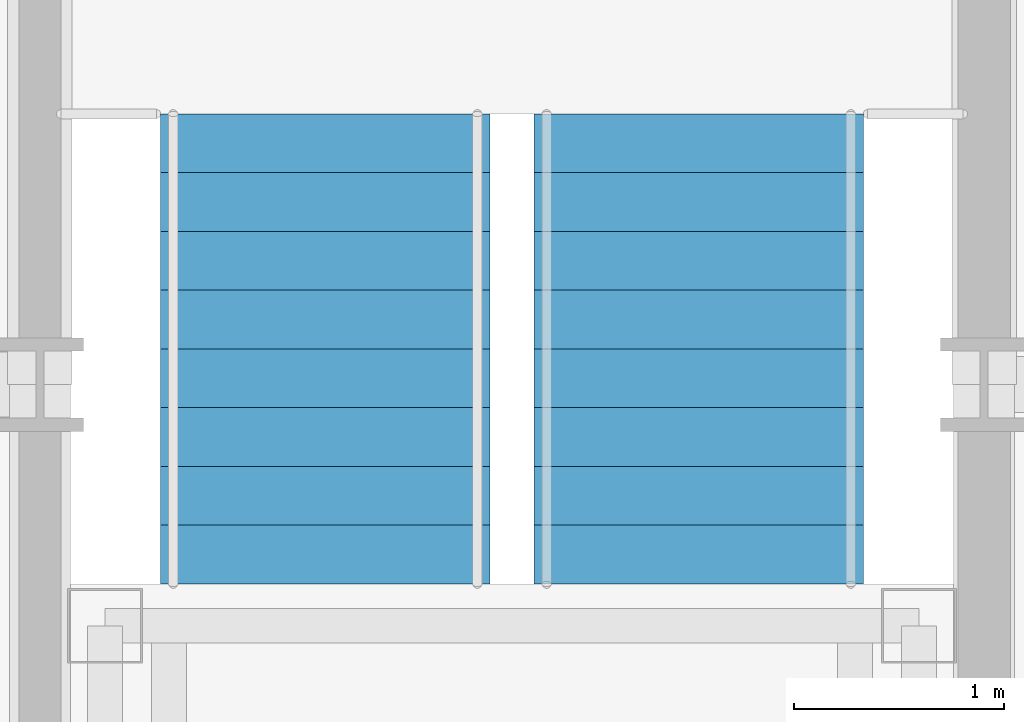
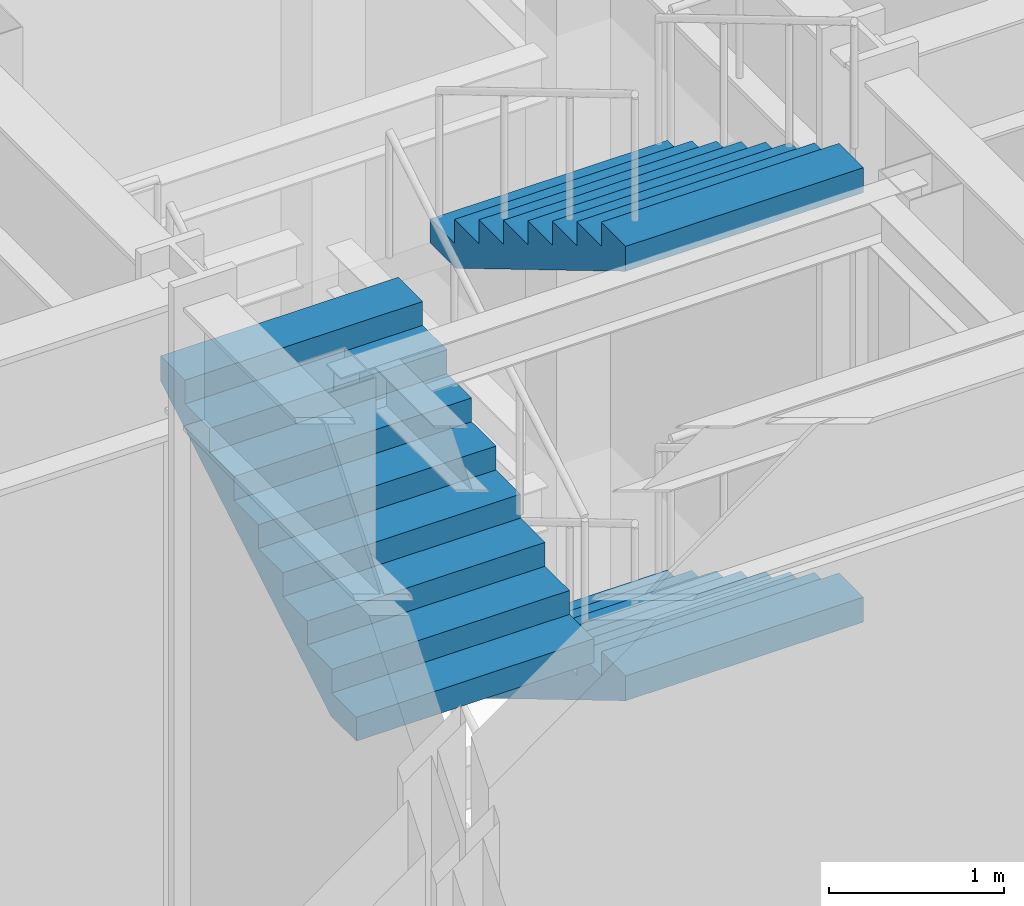
# One storey, part 19 of 28: 3 stair flights, 1 element without a shape of its own.
"""IFC4 building model written with IfcOpenShell, lengths in metres."""

import ifcopenshell
import ifcopenshell.guid

model = None  # the IFC model being written
_history = None  # IfcOwnerHistory: only IFC2X3 demands one
_inside = {}  # id of a spatial element -> (the spatial element, [elements in it])
_under = {}  # id of a project, library or spatial element -> (it, [spatial elements below it])
_declared = {}  # id of a project -> (the project, [libraries it declares])
_typed = {}  # id of a type object -> (the type object, [elements of that type])
_made_of = {}  # id of a material, layer set ... -> (it, [elements and type objects made of it])


def new_model(schema):
    """Start an empty IFC model of exactly this schema.

    Asked for "IFC4X3", IfcOpenShell would pick the latest addendum, in which some entities
    have other attributes; the version numbers below select the first issue.
    IFC2X3 requires an IfcOwnerHistory on every rooted entity: one is made here for all.
    """
    global model, _history
    if schema == "IFC4X3":
        model = ifcopenshell.file(schema_version=(4, 3, 0, 0))
    else:
        model = ifcopenshell.file(schema=schema)
    _inside.clear()
    _under.clear()
    _declared.clear()
    _typed.clear()
    _made_of.clear()
    _history = None
    if model.schema == "IFC2X3":
        org = make("IfcOrganization", Name="unknown")
        user = make(
            "IfcPersonAndOrganization",
            ThePerson=make("IfcPerson", FamilyName="unknown"),
            TheOrganization=org,
        )
        app = make(
            "IfcApplication",
            ApplicationDeveloper=org,
            Version="unknown",
            ApplicationFullName="unknown",
            ApplicationIdentifier="unknown",
        )
        _history = make(
            "IfcOwnerHistory",
            OwningUser=user,
            OwningApplication=app,
            ChangeAction="ADDED",
            CreationDate=0,
        )
    return model


def make(cls, **values):
    """One entity of the class cls with the attributes given. An attribute that is None is left unset."""
    return model.create_entity(
        cls, **{name: value for name, value in values.items() if value is not None}
    )


def rooted(cls, **values):
    """An entity with a GlobalId (a new one), such as an element, a storey or a relation."""
    return make(cls, GlobalId=ifcopenshell.guid.new(), OwnerHistory=_history, **values)


def si_unit(unit_type, name, prefix=None):
    """IfcSIUnit, for example si_unit("LENGTHUNIT", "METRE", prefix="MILLI")."""
    return make("IfcSIUnit", UnitType=unit_type, Prefix=prefix, Name=name)


def assignment(units):
    """IfcUnitAssignment: the units of a project."""
    return None if units is None else make("IfcUnitAssignment", Units=units)


def point(xyz):
    """IfcCartesianPoint."""
    return None if xyz is None else make("IfcCartesianPoint", Coordinates=xyz)


def direction(xyz):
    """IfcDirection."""
    return None if xyz is None else make("IfcDirection", DirectionRatios=xyz)


def frame(location, z_axis=None, x_axis=None):
    """IfcAxis2Placement3D, a coordinate frame: its origin and axes. An axis left out is left unset."""
    return make(
        "IfcAxis2Placement3D",
        Location=point(location),
        Axis=direction(z_axis),
        RefDirection=direction(x_axis),
    )


def origin():
    """The frame at (0, 0, 0) with its axes left unset."""
    return frame((0.0, 0.0, 0.0))


def place(relative_to, where):
    """IfcLocalPlacement: puts the frame where relative to a parent placement (None: the world)."""
    return make(
        "IfcLocalPlacement", PlacementRelTo=relative_to, RelativePlacement=where
    )


def context(
    kind, dimensions, precision=None, world=None, true_north=None, identifier=None
):
    """IfcGeometricRepresentationContext, for example the 3D "Model" context."""
    return make(
        "IfcGeometricRepresentationContext",
        ContextIdentifier=identifier,
        ContextType=kind,
        CoordinateSpaceDimension=dimensions,
        Precision=precision,
        WorldCoordinateSystem=world,
        TrueNorth=true_north,
    )


def subcontext(parent, identifier, kind, view, scale=None):
    """IfcGeometricRepresentationSubContext, for example "Body" below "Model"."""
    return make(
        "IfcGeometricRepresentationSubContext",
        ContextIdentifier=identifier,
        ContextType=kind,
        ParentContext=parent,
        TargetScale=scale,
        TargetView=view,
    )


def project(units=None, contexts=None):
    """IfcProject with its units and contexts."""
    return rooted(
        "IfcProject",
        Name="project",
        RepresentationContexts=contexts,
        UnitsInContext=assignment(units),
    )


def spatial(cls, under=None, at=None, **own):
    """A site, building, storey or space (cls), placed at a placement, below another one or the project."""
    s = rooted(cls, ObjectPlacement=at, **own)
    if under is not None:
        _under.setdefault(under.id(), (under, []))[1].append(s)
    return s


def faces_of(points, faces, orient=None, outer=None):
    """IfcFace entities. A face is a list of loops; a loop is a list of indices into points, from 0.

    orient and outer hold one flag for each loop. By default every Orientation is true, the
    first loop of a face is its IfcFaceOuterBound and the others are IfcFaceBound.
    """
    made = []
    for i, loops in enumerate(faces):
        bounds = []
        for j, loop in enumerate(loops):
            is_outer = j == 0 if outer is None else outer[i][j]
            bounds.append(
                make(
                    "IfcFaceOuterBound" if is_outer else "IfcFaceBound",
                    Bound=make("IfcPolyLoop", Polygon=[points[k] for k in loop]),
                    Orientation=True if orient is None else orient[i][j],
                )
            )
        made.append(make("IfcFace", Bounds=bounds))
    return made


def faceted_brep(points, faces, orient=None, outer=None, voids=None):
    """IfcFacetedBrep: a solid bounded by flat faces; with voids (closed shells), ...WithVoids."""
    shared = [point(p) for p in points]
    hull = make("IfcClosedShell", CfsFaces=faces_of(shared, faces, orient, outer))
    if voids is None:
        return make("IfcFacetedBrep", Outer=hull)
    return make(
        "IfcFacetedBrepWithVoids",
        Outer=hull,
        Voids=[
            make(cls, CfsFaces=faces_of(shared, fs, o, b)) for cls, fs, o, b in voids
        ],
    )


def shape(context_of_items, identifier, shape_type, items):
    """IfcShapeRepresentation: the items that make up one representation, for example the "Body"."""
    return make(
        "IfcShapeRepresentation",
        ContextOfItems=context_of_items,
        RepresentationIdentifier=identifier,
        RepresentationType=shape_type,
        Items=items,
    )


def material(Name=None, Category=None):
    """IfcMaterial."""
    return make("IfcMaterial", Name=Name, Category=Category)


def made_of(thing, what):
    """Note that an element or type object is made of a material, layer set ...; save() writes the relation."""
    if what is not None:
        _made_of.setdefault(what.id(), (what, []))[1].append(thing)
    return thing


def type_object(cls, material=None, **own):
    """A type object (cls), such as IfcWallType, which elements share."""
    return made_of(rooted(cls, **own), material)


def element(
    cls,
    number,
    at=None,
    inside=None,
    cuts=None,
    type_object=None,
    material=None,
    context=None,
    identifier="Body",
    shape_type=None,
    held_by="IfcProductDefinitionShape",
    body=None,
    shapes=None,
    **own,
):
    """One element of the class cls, such as IfcWall. Its Tag is "e" and its number.

    at: its placement. inside: the storey or other place that contains it. cuts: it is an
    opening in that element (IfcRelVoidsElement). A single representation is given by context,
    identifier, shape_type and body (its items); several are given by shapes. held_by: the class
    of the entity that holds the representations. save() writes the other relations.
    """
    e = rooted(cls, Tag="e%d" % number, ObjectPlacement=at, **own)
    if body is not None:
        shapes = [shape(context, identifier, shape_type, body)]
    if shapes is not None:
        e.Representation = make(held_by, Representations=shapes)
    if inside is not None:
        _inside.setdefault(inside.id(), (inside, []))[1].append(e)
    if cuts is not None:
        rooted(
            "IfcRelVoidsElement", RelatingBuildingElement=cuts, RelatedOpeningElement=e
        )
    if type_object is not None:
        _typed.setdefault(type_object.id(), (type_object, []))[1].append(e)
    return made_of(e, material)


def aggregate(whole, parts):
    """IfcRelAggregates: a whole, such as a stair, and the parts it consists of."""
    return rooted("IfcRelAggregates", RelatingObject=whole, RelatedObjects=parts)


def save(model, path):
    """Write the relations noted so far, then the file.

    IfcRelAggregates (storeys below a building ...), IfcRelContainedInSpatialStructure (elements
    in a storey), IfcRelDefinesByType, IfcRelAssociatesMaterial and IfcRelDeclares: one each for
    every whole, place, type object, material and project.
    """
    for whole, parts in _under.values():
        aggregate(whole, parts)
    for where, things in _inside.values():
        rooted(
            "IfcRelContainedInSpatialStructure",
            RelatedElements=things,
            RelatingStructure=where,
        )
    for kind, things in _typed.values():
        rooted("IfcRelDefinesByType", RelatedObjects=things, RelatingType=kind)
    for what, things in _made_of.values():
        rooted("IfcRelAssociatesMaterial", RelatedObjects=things, RelatingMaterial=what)
    for by, libraries in _declared.values():
        rooted("IfcRelDeclares", RelatingContext=by, RelatedDefinitions=libraries)
    model.write(path)


model = new_model("IFC4")

# Units and contexts
model_context = context("Model", 3, precision=1e-05, world=origin(), true_north=direction((0.0, 1.0)))
body_context = subcontext(model_context, "Body", "Model", "MODEL_VIEW")
ifc_project = project(units=[si_unit("LENGTHUNIT", "METRE"), si_unit("AREAUNIT", "SQUARE_METRE"), si_unit("VOLUMEUNIT", "CUBIC_METRE"), si_unit("PLANEANGLEUNIT", "RADIAN"), si_unit("MASSUNIT", "GRAM", prefix="KILO")], contexts=[model_context])

# Site, building, storey
site_placement = place(None, origin())
site = spatial("IfcSite", under=ifc_project, at=site_placement, CompositionType="ELEMENT")
building_placement = place(site_placement, origin())
building = spatial("IfcBuilding", under=site, at=building_placement, Name="Chuquiago Exchange Tower", CompositionType="ELEMENT")
storey_placement = place(building_placement, frame((0.0, 0.0, 300.0)))
storey = spatial("IfcBuildingStorey", under=building, at=storey_placement, Name="L67", CompositionType="ELEMENT", Elevation=300.0)

# Stair, stair flights
ifc_material_1 = material(Name="Concrete C30/37, precast", Category="concrete")
stair_type = type_object("IfcStairType", Name="ST2 double half-turn stair 6000", PredefinedType="DOUBLE_RETURN_STAIR", material=ifc_material_1)
stair_placement = place(storey_placement, origin())
stair = element("IfcStair", 1, at=stair_placement, inside=storey, type_object=stair_type, Name="Stair ST2 L67", PredefinedType="DOUBLE_RETURN_STAIR")
ifc_material_2 = material(Name="Concrete C30/37, precast", Category="concrete")
stair_flight_type = type_object("IfcStairFlightType", Name="ST-F flight 1570 for 6000 storey", PredefinedType="STRAIGHT", material=ifc_material_2)
stair_flight_1_placement = place(storey_placement, frame((31.639892578125, 25.2900390625, 1.5), z_axis=(0.0, 0.0, 1.0), x_axis=(0.0, -1.0, 0.0)))
stair_flight_1 = element("IfcStairFlight", 2, at=stair_flight_1_placement, type_object=stair_flight_type, Name="ST2 flight 2", NumberOfRisers=9, NumberOfTreads=8, PredefinedType="STRAIGHT", RiserHeight=0.166666667, TreadLength=0.28, context=body_context, shape_type="Brep", body=[
    faceted_brep([(0.0, 0.78515625, 0.0), (0.0, 0.78515625, 0.166748046875), (0.280029296875, 0.78515625, 0.166748046875), (0.280029296875, 0.78515625, 0.333251953125), (0.56005859375, 0.78515625, 0.333251953125), (0.56005859375, 0.78515625, 0.5), (0.840087890625, 0.78515625, 0.5), (0.840087890625, 0.78515625, 0.666748046875), (1.1201171875, 0.78515625, 0.666748046875), (1.1201171875, 0.78515625, 0.833251953125), (1.39990234375, 0.78515625, 0.833251953125), (1.39990234375, 0.78515625, 1.0), (1.679931640625, 0.78515625, 1.0), (1.679931640625, 0.78515625, 1.166748046875), (1.9599609375, 0.78515625, 1.166748046875), (1.9599609375, 0.78515625, 1.333251953125), (2.239990234375, 0.78515625, 1.333251953125), (2.239990234375, 0.78515625, 1.158935546875), (0.29296875, 0.78515625, 0.0), (0.29296875, -0.78515625, 0.0), (2.239990234375, -0.78515625, 1.158935546875), (2.239990234375, -0.78515625, 1.333251953125), (1.9599609375, -0.78515625, 1.333251953125), (1.9599609375, -0.78515625, 1.166748046875), (1.679931640625, -0.78515625, 1.166748046875), (1.679931640625, -0.78515625, 1.0), (1.39990234375, -0.78515625, 1.0), (1.39990234375, -0.78515625, 0.833251953125), (1.1201171875, -0.78515625, 0.833251953125), (1.1201171875, -0.78515625, 0.666748046875), (0.840087890625, -0.78515625, 0.666748046875), (0.840087890625, -0.78515625, 0.5), (0.56005859375, -0.78515625, 0.5), (0.56005859375, -0.78515625, 0.333251953125), (0.280029296875, -0.78515625, 0.333251953125), (0.280029296875, -0.78515625, 0.166748046875), (0.0, -0.78515625, 0.166748046875), (0.0, -0.78515625, 0.0), (0.0, 0.392578125, 0.0), (0.0, 0.392578125, 0.166748046875), (0.0, 0.0, 0.0), (0.0, 0.0, 0.166748046875), (0.0, -0.392578125, 0.0), (0.0, -0.392578125, 0.166748046875), (0.280029296875, 0.392578125, 0.166748046875), (0.280029296875, 0.0, 0.166748046875), (0.280029296875, -0.392578125, 0.166748046875), (0.280029296875, 0.392578125, 0.333251953125), (0.280029296875, 0.0, 0.333251953125), (0.280029296875, -0.392578125, 0.333251953125), (0.56005859375, 0.392578125, 0.333251953125), (0.56005859375, 0.0, 0.333251953125), (0.56005859375, -0.392578125, 0.333251953125), (0.56005859375, 0.392578125, 0.5), (0.56005859375, 0.0, 0.5), (0.56005859375, -0.392578125, 0.5), (0.840087890625, 0.392578125, 0.5), (0.840087890625, 0.0, 0.5), (0.840087890625, -0.392578125, 0.5), (0.840087890625, 0.392578125, 0.666748046875), (0.840087890625, 0.0, 0.666748046875), (0.840087890625, -0.392578125, 0.666748046875), (1.1201171875, 0.392578125, 0.666748046875), (1.1201171875, 0.0, 0.666748046875), (1.1201171875, -0.392578125, 0.666748046875), (1.1201171875, 0.392578125, 0.833251953125), (1.1201171875, 0.0, 0.833251953125), (1.1201171875, -0.392578125, 0.833251953125), (1.39990234375, 0.392578125, 0.833251953125), (1.39990234375, 0.0, 0.833251953125), (1.39990234375, -0.392578125, 0.833251953125), (1.39990234375, 0.392578125, 1.0), (1.39990234375, 0.0, 1.0), (1.39990234375, -0.392578125, 1.0), (1.679931640625, 0.392578125, 1.0), (1.679931640625, 0.0, 1.0), (1.679931640625, -0.392578125, 1.0), (1.679931640625, 0.392578125, 1.166748046875), (1.679931640625, 0.0, 1.166748046875), (1.679931640625, -0.392578125, 1.166748046875), (1.9599609375, 0.392578125, 1.166748046875), (1.9599609375, 0.0, 1.166748046875), (1.9599609375, -0.392578125, 1.166748046875), (1.9599609375, 0.392578125, 1.333251953125), (1.9599609375, 0.0, 1.333251953125), (1.9599609375, -0.392578125, 1.333251953125), (2.239990234375, 0.392578125, 1.333251953125), (2.239990234375, 0.0, 1.333251953125), (2.239990234375, -0.392578125, 1.333251953125), (2.239990234375, 0.392578125, 1.158935546875), (2.239990234375, 0.0, 1.158935546875), (2.239990234375, -0.392578125, 1.158935546875), (0.29296875, 0.392578125, 0.0), (0.29296875, 0.0, 0.0), (0.29296875, -0.392578125, 0.0)], [[[0, 1, 2, 3, 4, 5, 6, 7, 8, 9, 10, 11, 12, 13, 14, 15, 16, 17, 18]], [[19, 20, 21, 22, 23, 24, 25, 26, 27, 28, 29, 30, 31, 32, 33, 34, 35, 36, 37]], [[1, 0, 38, 39]], [[39, 38, 40, 41]], [[41, 40, 42, 43]], [[43, 42, 37, 36]], [[2, 1, 39, 44]], [[44, 39, 41, 45]], [[45, 41, 43, 46]], [[46, 43, 36, 35]], [[3, 2, 44, 47]], [[47, 44, 45, 48]], [[48, 45, 46, 49]], [[49, 46, 35, 34]], [[4, 3, 47, 50]], [[50, 47, 48, 51]], [[51, 48, 49, 52]], [[52, 49, 34, 33]], [[5, 4, 50, 53]], [[53, 50, 51, 54]], [[54, 51, 52, 55]], [[55, 52, 33, 32]], [[6, 5, 53, 56]], [[56, 53, 54, 57]], [[57, 54, 55, 58]], [[58, 55, 32, 31]], [[7, 6, 56, 59]], [[59, 56, 57, 60]], [[60, 57, 58, 61]], [[61, 58, 31, 30]], [[8, 7, 59, 62]], [[62, 59, 60, 63]], [[63, 60, 61, 64]], [[64, 61, 30, 29]], [[9, 8, 62, 65]], [[65, 62, 63, 66]], [[66, 63, 64, 67]], [[67, 64, 29, 28]], [[10, 9, 65, 68]], [[68, 65, 66, 69]], [[69, 66, 67, 70]], [[70, 67, 28, 27]], [[11, 10, 68, 71]], [[71, 68, 69, 72]], [[72, 69, 70, 73]], [[73, 70, 27, 26]], [[12, 11, 71, 74]], [[74, 71, 72, 75]], [[75, 72, 73, 76]], [[76, 73, 26, 25]], [[13, 12, 74, 77]], [[77, 74, 75, 78]], [[78, 75, 76, 79]], [[79, 76, 25, 24]], [[14, 13, 77, 80]], [[80, 77, 78, 81]], [[81, 78, 79, 82]], [[82, 79, 24, 23]], [[15, 14, 80, 83]], [[83, 80, 81, 84]], [[84, 81, 82, 85]], [[85, 82, 23, 22]], [[16, 15, 83, 86]], [[86, 83, 84, 87]], [[87, 84, 85, 88]], [[88, 85, 22, 21]], [[17, 16, 86, 89]], [[89, 86, 87, 90]], [[90, 87, 88, 91]], [[91, 88, 21, 20]], [[18, 17, 89, 92]], [[92, 89, 90, 93]], [[93, 90, 91, 94]], [[94, 91, 20, 19]], [[0, 18, 92, 38]], [[38, 92, 93, 40]], [[40, 93, 94, 42]], [[42, 94, 19, 37]]]),
])
stair_flight_2_placement = place(storey_placement, frame((29.860107421875, 23.050048828125, 3.0), z_axis=(0.0, 0.0, 1.0), x_axis=(0.0, 1.0, 0.0)))
stair_flight_2 = element("IfcStairFlight", 3, at=stair_flight_2_placement, type_object=stair_flight_type, Name="ST2 flight 3", NumberOfRisers=9, NumberOfTreads=8, PredefinedType="STRAIGHT", RiserHeight=0.166666667, TreadLength=0.28, context=body_context, shape_type="Brep", body=[
    faceted_brep([(0.0, 0.78515625, 0.0), (0.0, 0.78515625, 0.166748046875), (0.280029296875, 0.78515625, 0.166748046875), (0.280029296875, 0.78515625, 0.333251953125), (0.56005859375, 0.78515625, 0.333251953125), (0.56005859375, 0.78515625, 0.5), (0.840087890625, 0.78515625, 0.5), (0.840087890625, 0.78515625, 0.666748046875), (1.1201171875, 0.78515625, 0.666748046875), (1.1201171875, 0.78515625, 0.833251953125), (1.39990234375, 0.78515625, 0.833251953125), (1.39990234375, 0.78515625, 1.0), (1.679931640625, 0.78515625, 1.0), (1.679931640625, 0.78515625, 1.166748046875), (1.9599609375, 0.78515625, 1.166748046875), (1.9599609375, 0.78515625, 1.333251953125), (2.239990234375, 0.78515625, 1.333251953125), (2.239990234375, 0.78515625, 1.158935546875), (0.29296875, 0.78515625, 0.0), (0.29296875, -0.78515625, 0.0), (2.239990234375, -0.78515625, 1.158935546875), (2.239990234375, -0.78515625, 1.333251953125), (1.9599609375, -0.78515625, 1.333251953125), (1.9599609375, -0.78515625, 1.166748046875), (1.679931640625, -0.78515625, 1.166748046875), (1.679931640625, -0.78515625, 1.0), (1.39990234375, -0.78515625, 1.0), (1.39990234375, -0.78515625, 0.833251953125), (1.1201171875, -0.78515625, 0.833251953125), (1.1201171875, -0.78515625, 0.666748046875), (0.840087890625, -0.78515625, 0.666748046875), (0.840087890625, -0.78515625, 0.5), (0.56005859375, -0.78515625, 0.5), (0.56005859375, -0.78515625, 0.333251953125), (0.280029296875, -0.78515625, 0.333251953125), (0.280029296875, -0.78515625, 0.166748046875), (0.0, -0.78515625, 0.166748046875), (0.0, -0.78515625, 0.0), (0.0, 0.392578125, 0.0), (0.0, 0.392578125, 0.166748046875), (0.0, 0.0, 0.0), (0.0, 0.0, 0.166748046875), (0.0, -0.392578125, 0.0), (0.0, -0.392578125, 0.166748046875), (0.280029296875, 0.392578125, 0.166748046875), (0.280029296875, 0.0, 0.166748046875), (0.280029296875, -0.392578125, 0.166748046875), (0.280029296875, 0.392578125, 0.333251953125), (0.280029296875, 0.0, 0.333251953125), (0.280029296875, -0.392578125, 0.333251953125), (0.56005859375, 0.392578125, 0.333251953125), (0.56005859375, 0.0, 0.333251953125), (0.56005859375, -0.392578125, 0.333251953125), (0.56005859375, 0.392578125, 0.5), (0.56005859375, 0.0, 0.5), (0.56005859375, -0.392578125, 0.5), (0.840087890625, 0.392578125, 0.5), (0.840087890625, 0.0, 0.5), (0.840087890625, -0.392578125, 0.5), (0.840087890625, 0.392578125, 0.666748046875), (0.840087890625, 0.0, 0.666748046875), (0.840087890625, -0.392578125, 0.666748046875), (1.1201171875, 0.392578125, 0.666748046875), (1.1201171875, 0.0, 0.666748046875), (1.1201171875, -0.392578125, 0.666748046875), (1.1201171875, 0.392578125, 0.833251953125), (1.1201171875, 0.0, 0.833251953125), (1.1201171875, -0.392578125, 0.833251953125), (1.39990234375, 0.392578125, 0.833251953125), (1.39990234375, 0.0, 0.833251953125), (1.39990234375, -0.392578125, 0.833251953125), (1.39990234375, 0.392578125, 1.0), (1.39990234375, 0.0, 1.0), (1.39990234375, -0.392578125, 1.0), (1.679931640625, 0.392578125, 1.0), (1.679931640625, 0.0, 1.0), (1.679931640625, -0.392578125, 1.0), (1.679931640625, 0.392578125, 1.166748046875), (1.679931640625, 0.0, 1.166748046875), (1.679931640625, -0.392578125, 1.166748046875), (1.9599609375, 0.392578125, 1.166748046875), (1.9599609375, 0.0, 1.166748046875), (1.9599609375, -0.392578125, 1.166748046875), (1.9599609375, 0.392578125, 1.333251953125), (1.9599609375, 0.0, 1.333251953125), (1.9599609375, -0.392578125, 1.333251953125), (2.239990234375, 0.392578125, 1.333251953125), (2.239990234375, 0.0, 1.333251953125), (2.239990234375, -0.392578125, 1.333251953125), (2.239990234375, 0.392578125, 1.158935546875), (2.239990234375, 0.0, 1.158935546875), (2.239990234375, -0.392578125, 1.158935546875), (0.29296875, 0.392578125, 0.0), (0.29296875, 0.0, 0.0), (0.29296875, -0.392578125, 0.0)], [[[0, 1, 2, 3, 4, 5, 6, 7, 8, 9, 10, 11, 12, 13, 14, 15, 16, 17, 18]], [[19, 20, 21, 22, 23, 24, 25, 26, 27, 28, 29, 30, 31, 32, 33, 34, 35, 36, 37]], [[1, 0, 38, 39]], [[39, 38, 40, 41]], [[41, 40, 42, 43]], [[43, 42, 37, 36]], [[2, 1, 39, 44]], [[44, 39, 41, 45]], [[45, 41, 43, 46]], [[46, 43, 36, 35]], [[3, 2, 44, 47]], [[47, 44, 45, 48]], [[48, 45, 46, 49]], [[49, 46, 35, 34]], [[4, 3, 47, 50]], [[50, 47, 48, 51]], [[51, 48, 49, 52]], [[52, 49, 34, 33]], [[5, 4, 50, 53]], [[53, 50, 51, 54]], [[54, 51, 52, 55]], [[55, 52, 33, 32]], [[6, 5, 53, 56]], [[56, 53, 54, 57]], [[57, 54, 55, 58]], [[58, 55, 32, 31]], [[7, 6, 56, 59]], [[59, 56, 57, 60]], [[60, 57, 58, 61]], [[61, 58, 31, 30]], [[8, 7, 59, 62]], [[62, 59, 60, 63]], [[63, 60, 61, 64]], [[64, 61, 30, 29]], [[9, 8, 62, 65]], [[65, 62, 63, 66]], [[66, 63, 64, 67]], [[67, 64, 29, 28]], [[10, 9, 65, 68]], [[68, 65, 66, 69]], [[69, 66, 67, 70]], [[70, 67, 28, 27]], [[11, 10, 68, 71]], [[71, 68, 69, 72]], [[72, 69, 70, 73]], [[73, 70, 27, 26]], [[12, 11, 71, 74]], [[74, 71, 72, 75]], [[75, 72, 73, 76]], [[76, 73, 26, 25]], [[13, 12, 74, 77]], [[77, 74, 75, 78]], [[78, 75, 76, 79]], [[79, 76, 25, 24]], [[14, 13, 77, 80]], [[80, 77, 78, 81]], [[81, 78, 79, 82]], [[82, 79, 24, 23]], [[15, 14, 80, 83]], [[83, 80, 81, 84]], [[84, 81, 82, 85]], [[85, 82, 23, 22]], [[16, 15, 83, 86]], [[86, 83, 84, 87]], [[87, 84, 85, 88]], [[88, 85, 22, 21]], [[17, 16, 86, 89]], [[89, 86, 87, 90]], [[90, 87, 88, 91]], [[91, 88, 21, 20]], [[18, 17, 89, 92]], [[92, 89, 90, 93]], [[93, 90, 91, 94]], [[94, 91, 20, 19]], [[0, 18, 92, 38]], [[38, 92, 93, 40]], [[40, 93, 94, 42]], [[42, 94, 19, 37]]]),
])
stair_flight_3_placement = place(storey_placement, frame((31.639892578125, 25.2900390625, 4.5), z_axis=(0.0, 0.0, 1.0), x_axis=(0.0, -1.0, 0.0)))
stair_flight_3 = element("IfcStairFlight", 4, at=stair_flight_3_placement, type_object=stair_flight_type, Name="ST2 flight 4", NumberOfRisers=9, NumberOfTreads=8, PredefinedType="STRAIGHT", RiserHeight=0.166666667, TreadLength=0.28, context=body_context, shape_type="Brep", body=[
    faceted_brep([(0.0, 0.78515625, 0.0), (0.0, 0.78515625, 0.166748046875), (0.280029296875, 0.78515625, 0.166748046875), (0.280029296875, 0.78515625, 0.333251953125), (0.56005859375, 0.78515625, 0.333251953125), (0.56005859375, 0.78515625, 0.5), (0.840087890625, 0.78515625, 0.5), (0.840087890625, 0.78515625, 0.666748046875), (1.1201171875, 0.78515625, 0.666748046875), (1.1201171875, 0.78515625, 0.833251953125), (1.39990234375, 0.78515625, 0.833251953125), (1.39990234375, 0.78515625, 1.0), (1.679931640625, 0.78515625, 1.0), (1.679931640625, 0.78515625, 1.166748046875), (1.9599609375, 0.78515625, 1.166748046875), (1.9599609375, 0.78515625, 1.333251953125), (2.239990234375, 0.78515625, 1.333251953125), (2.239990234375, 0.78515625, 1.158935546875), (0.29296875, 0.78515625, 0.0), (0.29296875, -0.78515625, 0.0), (2.239990234375, -0.78515625, 1.158935546875), (2.239990234375, -0.78515625, 1.333251953125), (1.9599609375, -0.78515625, 1.333251953125), (1.9599609375, -0.78515625, 1.166748046875), (1.679931640625, -0.78515625, 1.166748046875), (1.679931640625, -0.78515625, 1.0), (1.39990234375, -0.78515625, 1.0), (1.39990234375, -0.78515625, 0.833251953125), (1.1201171875, -0.78515625, 0.833251953125), (1.1201171875, -0.78515625, 0.666748046875), (0.840087890625, -0.78515625, 0.666748046875), (0.840087890625, -0.78515625, 0.5), (0.56005859375, -0.78515625, 0.5), (0.56005859375, -0.78515625, 0.333251953125), (0.280029296875, -0.78515625, 0.333251953125), (0.280029296875, -0.78515625, 0.166748046875), (0.0, -0.78515625, 0.166748046875), (0.0, -0.78515625, 0.0), (0.0, 0.392578125, 0.0), (0.0, 0.392578125, 0.166748046875), (0.0, 0.0, 0.0), (0.0, 0.0, 0.166748046875), (0.0, -0.392578125, 0.0), (0.0, -0.392578125, 0.166748046875), (0.280029296875, 0.392578125, 0.166748046875), (0.280029296875, 0.0, 0.166748046875), (0.280029296875, -0.392578125, 0.166748046875), (0.280029296875, 0.392578125, 0.333251953125), (0.280029296875, 0.0, 0.333251953125), (0.280029296875, -0.392578125, 0.333251953125), (0.56005859375, 0.392578125, 0.333251953125), (0.56005859375, 0.0, 0.333251953125), (0.56005859375, -0.392578125, 0.333251953125), (0.56005859375, 0.392578125, 0.5), (0.56005859375, 0.0, 0.5), (0.56005859375, -0.392578125, 0.5), (0.840087890625, 0.392578125, 0.5), (0.840087890625, 0.0, 0.5), (0.840087890625, -0.392578125, 0.5), (0.840087890625, 0.392578125, 0.666748046875), (0.840087890625, 0.0, 0.666748046875), (0.840087890625, -0.392578125, 0.666748046875), (1.1201171875, 0.392578125, 0.666748046875), (1.1201171875, 0.0, 0.666748046875), (1.1201171875, -0.392578125, 0.666748046875), (1.1201171875, 0.392578125, 0.833251953125), (1.1201171875, 0.0, 0.833251953125), (1.1201171875, -0.392578125, 0.833251953125), (1.39990234375, 0.392578125, 0.833251953125), (1.39990234375, 0.0, 0.833251953125), (1.39990234375, -0.392578125, 0.833251953125), (1.39990234375, 0.392578125, 1.0), (1.39990234375, 0.0, 1.0), (1.39990234375, -0.392578125, 1.0), (1.679931640625, 0.392578125, 1.0), (1.679931640625, 0.0, 1.0), (1.679931640625, -0.392578125, 1.0), (1.679931640625, 0.392578125, 1.166748046875), (1.679931640625, 0.0, 1.166748046875), (1.679931640625, -0.392578125, 1.166748046875), (1.9599609375, 0.392578125, 1.166748046875), (1.9599609375, 0.0, 1.166748046875), (1.9599609375, -0.392578125, 1.166748046875), (1.9599609375, 0.392578125, 1.333251953125), (1.9599609375, 0.0, 1.333251953125), (1.9599609375, -0.392578125, 1.333251953125), (2.239990234375, 0.392578125, 1.333251953125), (2.239990234375, 0.0, 1.333251953125), (2.239990234375, -0.392578125, 1.333251953125), (2.239990234375, 0.392578125, 1.158935546875), (2.239990234375, 0.0, 1.158935546875), (2.239990234375, -0.392578125, 1.158935546875), (0.29296875, 0.392578125, 0.0), (0.29296875, 0.0, 0.0), (0.29296875, -0.392578125, 0.0)], [[[0, 1, 2, 3, 4, 5, 6, 7, 8, 9, 10, 11, 12, 13, 14, 15, 16, 17, 18]], [[19, 20, 21, 22, 23, 24, 25, 26, 27, 28, 29, 30, 31, 32, 33, 34, 35, 36, 37]], [[1, 0, 38, 39]], [[39, 38, 40, 41]], [[41, 40, 42, 43]], [[43, 42, 37, 36]], [[2, 1, 39, 44]], [[44, 39, 41, 45]], [[45, 41, 43, 46]], [[46, 43, 36, 35]], [[3, 2, 44, 47]], [[47, 44, 45, 48]], [[48, 45, 46, 49]], [[49, 46, 35, 34]], [[4, 3, 47, 50]], [[50, 47, 48, 51]], [[51, 48, 49, 52]], [[52, 49, 34, 33]], [[5, 4, 50, 53]], [[53, 50, 51, 54]], [[54, 51, 52, 55]], [[55, 52, 33, 32]], [[6, 5, 53, 56]], [[56, 53, 54, 57]], [[57, 54, 55, 58]], [[58, 55, 32, 31]], [[7, 6, 56, 59]], [[59, 56, 57, 60]], [[60, 57, 58, 61]], [[61, 58, 31, 30]], [[8, 7, 59, 62]], [[62, 59, 60, 63]], [[63, 60, 61, 64]], [[64, 61, 30, 29]], [[9, 8, 62, 65]], [[65, 62, 63, 66]], [[66, 63, 64, 67]], [[67, 64, 29, 28]], [[10, 9, 65, 68]], [[68, 65, 66, 69]], [[69, 66, 67, 70]], [[70, 67, 28, 27]], [[11, 10, 68, 71]], [[71, 68, 69, 72]], [[72, 69, 70, 73]], [[73, 70, 27, 26]], [[12, 11, 71, 74]], [[74, 71, 72, 75]], [[75, 72, 73, 76]], [[76, 73, 26, 25]], [[13, 12, 74, 77]], [[77, 74, 75, 78]], [[78, 75, 76, 79]], [[79, 76, 25, 24]], [[14, 13, 77, 80]], [[80, 77, 78, 81]], [[81, 78, 79, 82]], [[82, 79, 24, 23]], [[15, 14, 80, 83]], [[83, 80, 81, 84]], [[84, 81, 82, 85]], [[85, 82, 23, 22]], [[16, 15, 83, 86]], [[86, 83, 84, 87]], [[87, 84, 85, 88]], [[88, 85, 22, 21]], [[17, 16, 86, 89]], [[89, 86, 87, 90]], [[90, 87, 88, 91]], [[91, 88, 21, 20]], [[18, 17, 89, 92]], [[92, 89, 90, 93]], [[93, 90, 91, 94]], [[94, 91, 20, 19]], [[0, 18, 92, 38]], [[38, 92, 93, 40]], [[40, 93, 94, 42]], [[42, 94, 19, 37]]]),
])
aggregate(stair, [stair_flight_1, stair_flight_2, stair_flight_3])

save(model, "model.ifc")
